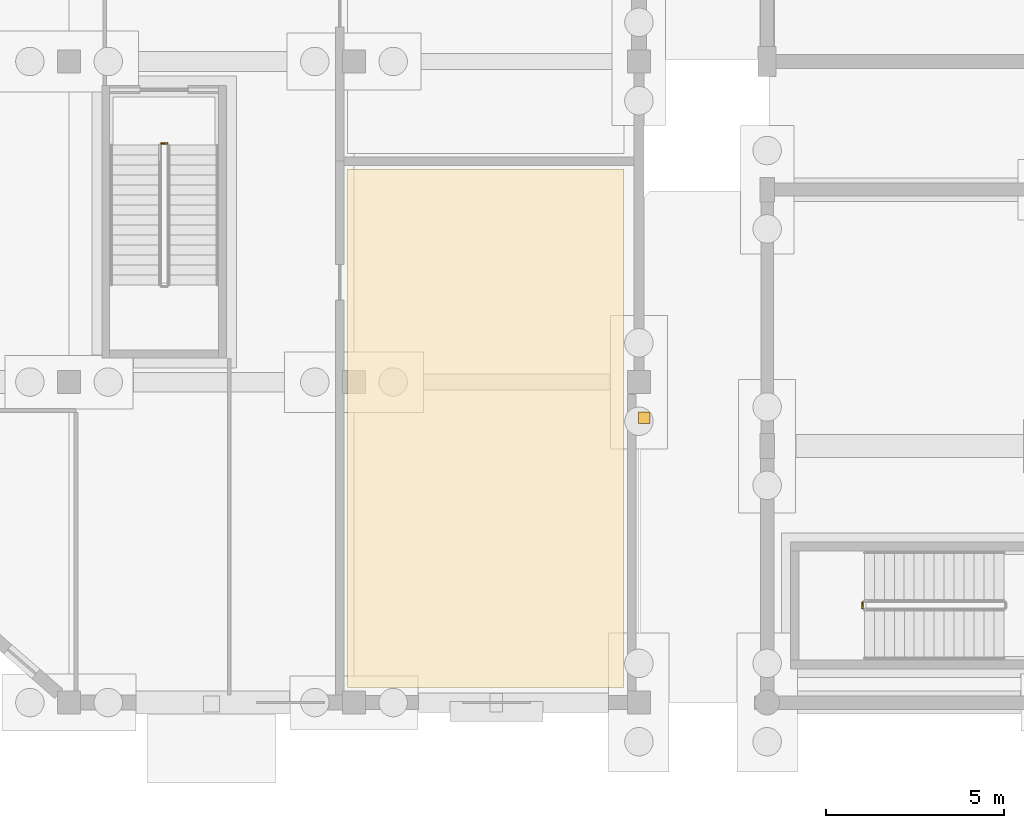
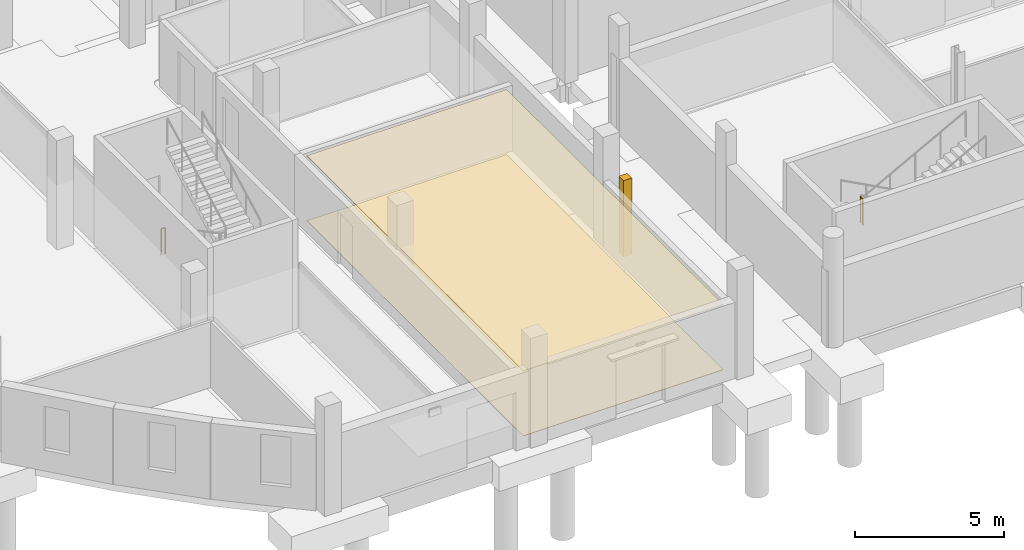
# One storey, part 51 of 63: 3 coverings, 2 railings.
"""IFC4 building model written with IfcOpenShell, lengths in metres."""

import ifcopenshell
import ifcopenshell.guid

model = None  # the IFC model being written
_history = None  # IfcOwnerHistory: only IFC2X3 demands one
_inside = {}  # id of a spatial element -> (the spatial element, [elements in it])
_under = {}  # id of a project, library or spatial element -> (it, [spatial elements below it])
_declared = {}  # id of a project -> (the project, [libraries it declares])
_typed = {}  # id of a type object -> (the type object, [elements of that type])
_made_of = {}  # id of a material, layer set ... -> (it, [elements and type objects made of it])


def new_model(schema):
    """Start an empty IFC model of exactly this schema.

    Asked for "IFC4X3", IfcOpenShell would pick the latest addendum, in which some entities
    have other attributes; the version numbers below select the first issue.
    IFC2X3 requires an IfcOwnerHistory on every rooted entity: one is made here for all.
    """
    global model, _history
    if schema == "IFC4X3":
        model = ifcopenshell.file(schema_version=(4, 3, 0, 0))
    else:
        model = ifcopenshell.file(schema=schema)
    _inside.clear()
    _under.clear()
    _declared.clear()
    _typed.clear()
    _made_of.clear()
    _history = None
    if model.schema == "IFC2X3":
        org = make("IfcOrganization", Name="unknown")
        user = make(
            "IfcPersonAndOrganization",
            ThePerson=make("IfcPerson", FamilyName="unknown"),
            TheOrganization=org,
        )
        app = make(
            "IfcApplication",
            ApplicationDeveloper=org,
            Version="unknown",
            ApplicationFullName="unknown",
            ApplicationIdentifier="unknown",
        )
        _history = make(
            "IfcOwnerHistory",
            OwningUser=user,
            OwningApplication=app,
            ChangeAction="ADDED",
            CreationDate=0,
        )
    return model


def make(cls, **values):
    """One entity of the class cls with the attributes given. An attribute that is None is left unset."""
    return model.create_entity(
        cls, **{name: value for name, value in values.items() if value is not None}
    )


def rooted(cls, **values):
    """An entity with a GlobalId (a new one), such as an element, a storey or a relation."""
    return make(cls, GlobalId=ifcopenshell.guid.new(), OwnerHistory=_history, **values)


def si_unit(unit_type, name, prefix=None):
    """IfcSIUnit, for example si_unit("LENGTHUNIT", "METRE", prefix="MILLI")."""
    return make("IfcSIUnit", UnitType=unit_type, Prefix=prefix, Name=name)


def assignment(units):
    """IfcUnitAssignment: the units of a project."""
    return None if units is None else make("IfcUnitAssignment", Units=units)


def point(xyz):
    """IfcCartesianPoint."""
    return None if xyz is None else make("IfcCartesianPoint", Coordinates=xyz)


def direction(xyz):
    """IfcDirection."""
    return None if xyz is None else make("IfcDirection", DirectionRatios=xyz)


def frame(location, z_axis=None, x_axis=None):
    """IfcAxis2Placement3D, a coordinate frame: its origin and axes. An axis left out is left unset."""
    return make(
        "IfcAxis2Placement3D",
        Location=point(location),
        Axis=direction(z_axis),
        RefDirection=direction(x_axis),
    )


def frame_2d(location, x_axis=None):
    """IfcAxis2Placement2D, a coordinate frame in the plane: its origin and x axis."""
    return make(
        "IfcAxis2Placement2D", Location=point(location), RefDirection=direction(x_axis)
    )


def origin():
    """The frame at (0, 0, 0) with its axes left unset."""
    return frame((0.0, 0.0, 0.0))


def origin_2d():
    """The frame at (0, 0) in the plane with its x axis left unset."""
    return frame_2d((0.0, 0.0))


def place(relative_to, where):
    """IfcLocalPlacement: puts the frame where relative to a parent placement (None: the world)."""
    return make(
        "IfcLocalPlacement", PlacementRelTo=relative_to, RelativePlacement=where
    )


def context(
    kind, dimensions, precision=None, world=None, true_north=None, identifier=None
):
    """IfcGeometricRepresentationContext, for example the 3D "Model" context."""
    return make(
        "IfcGeometricRepresentationContext",
        ContextIdentifier=identifier,
        ContextType=kind,
        CoordinateSpaceDimension=dimensions,
        Precision=precision,
        WorldCoordinateSystem=world,
        TrueNorth=true_north,
    )


def subcontext(parent, identifier, kind, view, scale=None):
    """IfcGeometricRepresentationSubContext, for example "Body" below "Model"."""
    return make(
        "IfcGeometricRepresentationSubContext",
        ContextIdentifier=identifier,
        ContextType=kind,
        ParentContext=parent,
        TargetScale=scale,
        TargetView=view,
    )


def project(units=None, contexts=None):
    """IfcProject with its units and contexts."""
    return rooted(
        "IfcProject",
        Name="project",
        RepresentationContexts=contexts,
        UnitsInContext=assignment(units),
    )


def spatial(cls, under=None, at=None, **own):
    """A site, building, storey or space (cls), placed at a placement, below another one or the project."""
    s = rooted(cls, ObjectPlacement=at, **own)
    if under is not None:
        _under.setdefault(under.id(), (under, []))[1].append(s)
    return s


def polyline(points):
    """IfcPolyline through the points."""
    return make("IfcPolyline", Points=[point(p) for p in points])


def profile(cls, at=None, kind="AREA", **sizes):
    """A parametric profile (cls). Its sizes go by their IFC names, for example OverallWidth=200.0."""
    return make(cls, ProfileType=kind, Position=at, **sizes)


def circle(**sizes):
    """IfcCircleProfileDef."""
    return profile("IfcCircleProfileDef", **sizes)


def outline(outer, holes=None, kind="AREA"):
    """IfcArbitraryClosedProfileDef: a profile drawn as a closed curve; with holes, ...WithVoids."""
    if holes is None:
        return make("IfcArbitraryClosedProfileDef", ProfileType=kind, OuterCurve=outer)
    return make(
        "IfcArbitraryProfileDefWithVoids",
        ProfileType=kind,
        OuterCurve=outer,
        InnerCurves=holes,
    )


def extrude(swept, where, along, depth):
    """IfcExtrudedAreaSolid: the profile swept, set in the frame where, extruded along a direction by depth."""
    return make(
        "IfcExtrudedAreaSolid",
        SweptArea=swept,
        Position=where,
        ExtrudedDirection=direction(along),
        Depth=depth,
    )


def shape(context_of_items, identifier, shape_type, items):
    """IfcShapeRepresentation: the items that make up one representation, for example the "Body"."""
    return make(
        "IfcShapeRepresentation",
        ContextOfItems=context_of_items,
        RepresentationIdentifier=identifier,
        RepresentationType=shape_type,
        Items=items,
    )


def material(Name=None, Category=None):
    """IfcMaterial."""
    return make("IfcMaterial", Name=Name, Category=Category)


def layer(
    of_material, thickness, ventilated=None, Name=None, Category=None, Priority=None
):
    """IfcMaterialLayer: one layer of a wall or slab, of a material (None: an air gap)."""
    return make(
        "IfcMaterialLayer",
        Material=of_material,
        LayerThickness=thickness,
        IsVentilated=ventilated,
        Name=Name,
        Category=Category,
        Priority=Priority,
    )


def layer_set(layers, Name=None):
    """IfcMaterialLayerSet."""
    return make("IfcMaterialLayerSet", MaterialLayers=layers, LayerSetName=Name)


def made_of(thing, what):
    """Note that an element or type object is made of a material, layer set ...; save() writes the relation."""
    if what is not None:
        _made_of.setdefault(what.id(), (what, []))[1].append(thing)
    return thing


def type_object(cls, material=None, **own):
    """A type object (cls), such as IfcWallType, which elements share."""
    return made_of(rooted(cls, **own), material)


def element(
    cls,
    number,
    at=None,
    inside=None,
    cuts=None,
    type_object=None,
    material=None,
    context=None,
    identifier="Body",
    shape_type=None,
    held_by="IfcProductDefinitionShape",
    body=None,
    shapes=None,
    **own,
):
    """One element of the class cls, such as IfcWall. Its Tag is "e" and its number.

    at: its placement. inside: the storey or other place that contains it. cuts: it is an
    opening in that element (IfcRelVoidsElement). A single representation is given by context,
    identifier, shape_type and body (its items); several are given by shapes. held_by: the class
    of the entity that holds the representations. save() writes the other relations.
    """
    e = rooted(cls, Tag="e%d" % number, ObjectPlacement=at, **own)
    if body is not None:
        shapes = [shape(context, identifier, shape_type, body)]
    if shapes is not None:
        e.Representation = make(held_by, Representations=shapes)
    if inside is not None:
        _inside.setdefault(inside.id(), (inside, []))[1].append(e)
    if cuts is not None:
        rooted(
            "IfcRelVoidsElement", RelatingBuildingElement=cuts, RelatedOpeningElement=e
        )
    if type_object is not None:
        _typed.setdefault(type_object.id(), (type_object, []))[1].append(e)
    return made_of(e, material)


def aggregate(whole, parts):
    """IfcRelAggregates: a whole, such as a stair, and the parts it consists of."""
    return rooted("IfcRelAggregates", RelatingObject=whole, RelatedObjects=parts)


def save(model, path):
    """Write the relations noted so far, then the file.

    IfcRelAggregates (storeys below a building ...), IfcRelContainedInSpatialStructure (elements
    in a storey), IfcRelDefinesByType, IfcRelAssociatesMaterial and IfcRelDeclares: one each for
    every whole, place, type object, material and project.
    """
    for whole, parts in _under.values():
        aggregate(whole, parts)
    for where, things in _inside.values():
        rooted(
            "IfcRelContainedInSpatialStructure",
            RelatedElements=things,
            RelatingStructure=where,
        )
    for kind, things in _typed.values():
        rooted("IfcRelDefinesByType", RelatedObjects=things, RelatingType=kind)
    for what, things in _made_of.values():
        rooted("IfcRelAssociatesMaterial", RelatedObjects=things, RelatingMaterial=what)
    for by, libraries in _declared.values():
        rooted("IfcRelDeclares", RelatingContext=by, RelatedDefinitions=libraries)
    model.write(path)


model = new_model("IFC4")

# Units and contexts
model_context = context("Model", 3, precision=1e-05, world=origin(), true_north=direction((0.0, 1.0)))
body_context = subcontext(model_context, "Body", "Model", "MODEL_VIEW")
ifc_project = project(units=[si_unit("LENGTHUNIT", "METRE"), si_unit("AREAUNIT", "SQUARE_METRE"), si_unit("VOLUMEUNIT", "CUBIC_METRE"), si_unit("PLANEANGLEUNIT", "RADIAN"), si_unit("MASSUNIT", "GRAM", prefix="KILO")], contexts=[model_context])

# Site, building, storey
site_placement = place(None, origin())
site = spatial("IfcSite", under=ifc_project, at=site_placement, CompositionType="ELEMENT")
building_placement = place(site_placement, origin())
building = spatial("IfcBuilding", under=site, at=building_placement, Name="Serraforn Aerial Cableway Station", CompositionType="ELEMENT")
storey_placement = place(building_placement, origin())
storey = spatial("IfcBuildingStorey", under=building, at=storey_placement, Name="L00", CompositionType="ELEMENT", Elevation=0.0)

# Coverings
ifc_material_1 = material(Name="Fluted patinated bronze Art Deco pilaster cladding")
ifc_layer_1 = layer(ifc_material_1, 0.034912109375)
ifc_layer_set_1 = layer_set([ifc_layer_1], Name="Fluted patinated bronze Art Deco pilaster cladding")
covering_type_1 = type_object("IfcCoveringType", Name="COV-CLAD-BRZ", PredefinedType="CLADDING", material=ifc_layer_set_1)
covering_1_placement = place(storey_placement, origin())
element("IfcCovering", 1, at=covering_1_placement, inside=storey, type_object=covering_type_1, Name="Art Deco Bronze Pilaster Cladding W-L00-E1", PredefinedType="CLADDING", context=body_context, shape_type="SweptSolid", body=[
    extrude(outline(polyline([(23.9951171875, 7.840087890625), (24.31494140625, 7.840087890625), (24.31494140625, 8.159912109375), (23.9951171875, 8.159912109375), (23.9951171875, 7.840087890625)])), origin(), (0.0, 0.0, 1.0), 3.1201171875),
])
ifc_material_2 = material(Name="Perforated acoustic mineral ceiling")
ifc_layer_2 = layer(ifc_material_2, 0.02490234375)
ifc_layer_set_2 = layer_set([ifc_layer_2], Name="Perforated acoustic mineral ceiling")
covering_type_2 = type_object("IfcCoveringType", Name="COV-CLG-AC", PredefinedType="CEILING", material=ifc_layer_set_2)
covering_2_placement = place(storey_placement, frame((0.0, 0.0, 2.659912109375)))
element("IfcCovering", 2, at=covering_2_placement, inside=storey, type_object=covering_type_2, Name="Suspended Ceiling L00-02", PredefinedType="CEILING", context=body_context, shape_type="SweptSolid", body=[
    extrude(outline(polyline([(15.820068359375, 0.419921875), (15.820068359375, 14.97998046875), (23.580078125, 14.97998046875), (23.580078125, 0.419921875), (15.820068359375, 0.419921875)])), origin(), (0.0, 0.0, 1.0), 0.025146484375),
])
ifc_material_3 = material(Name="Heavy-duty non-slip quartz epoxy floor")
ifc_layer_3 = layer(ifc_material_3, 0.014892578125)
ifc_layer_set_3 = layer_set([ifc_layer_3], Name="Heavy-duty non-slip quartz epoxy floor")
covering_type_3 = type_object("IfcCoveringType", Name="COV-FLR-EPOX", PredefinedType="FLOORING", material=ifc_layer_set_3)
covering_3_placement = place(storey_placement, origin())
element("IfcCovering", 3, at=covering_3_placement, inside=storey, type_object=covering_type_3, Name="Flooring L00-02", PredefinedType="FLOORING", context=body_context, shape_type="SweptSolid", body=[
    extrude(outline(polyline([(15.820068359375, 0.419921875), (15.820068359375, 14.97998046875), (23.580078125, 14.97998046875), (23.580078125, 0.419921875), (15.820068359375, 0.419921875)])), origin(), (0.0, 0.0, 1.0), 0.014892578125),
])

# Railings
ifc_material_4 = material(Name="Patinated bronze stair guardrail")
ifc_layer_4 = layer(ifc_material_4, 0.050048828125)
ifc_layer_set_4 = layer_set([ifc_layer_4], Name="Patinated bronze stair guardrail")
railing_type = type_object("IfcRailingType", Name="RL-STR-GRD", PredefinedType="GUARDRAIL", material=ifc_layer_set_4)
railing_1_placement = place(storey_placement, frame((10.590087890625, 15.699951171875, 0.0)))
element("IfcRailing", 4, at=railing_1_placement, inside=storey, type_object=railing_type, Name="L00 ST-12 stair guard 4", PredefinedType="GUARDRAIL", context=body_context, shape_type="SweptSolid", body=[
    extrude(circle(Radius=0.02392578125, at=origin_2d()), frame((0.0, 0.0, 1.076171875), z_axis=(1.0, 0.0, 0.0), x_axis=(0.0, 1.0, 0.0)), (0.0, 0.0, 1.0), 0.159912109375),
    extrude(circle(Radius=0.02099609375, at=origin_2d()), origin(), (0.0, 0.0, 1.0), 1.052001953125),
    extrude(circle(Radius=0.02099609375, at=origin_2d()), frame((0.159912109375, 0.0, 0.0)), (0.0, 0.0, 1.0), 1.052001953125),
])
railing_2_placement = place(storey_placement, frame((30.280029296875, 2.81005859375, 2.25)))
element("IfcRailing", 5, at=railing_2_placement, inside=storey, type_object=railing_type, Name="L00 ST-06 stair guard 2", PredefinedType="GUARDRAIL", context=body_context, shape_type="SweptSolid", body=[
    extrude(circle(Radius=0.02392578125, at=origin_2d()), frame((0.0, 0.0, 1.076171875), z_axis=(0.0, -1.0, 0.0), x_axis=(1.0, 0.0, 0.0)), (0.0, 0.0, 1.0), 0.16015625),
    extrude(circle(Radius=0.02099609375, at=origin_2d()), origin(), (0.0, 0.0, 1.0), 1.052001953125),
    extrude(circle(Radius=0.02099609375, at=origin_2d()), frame((0.0, -0.16015625, 0.0)), (0.0, 0.0, 1.0), 1.052001953125),
])

save(model, "model.ifc")
